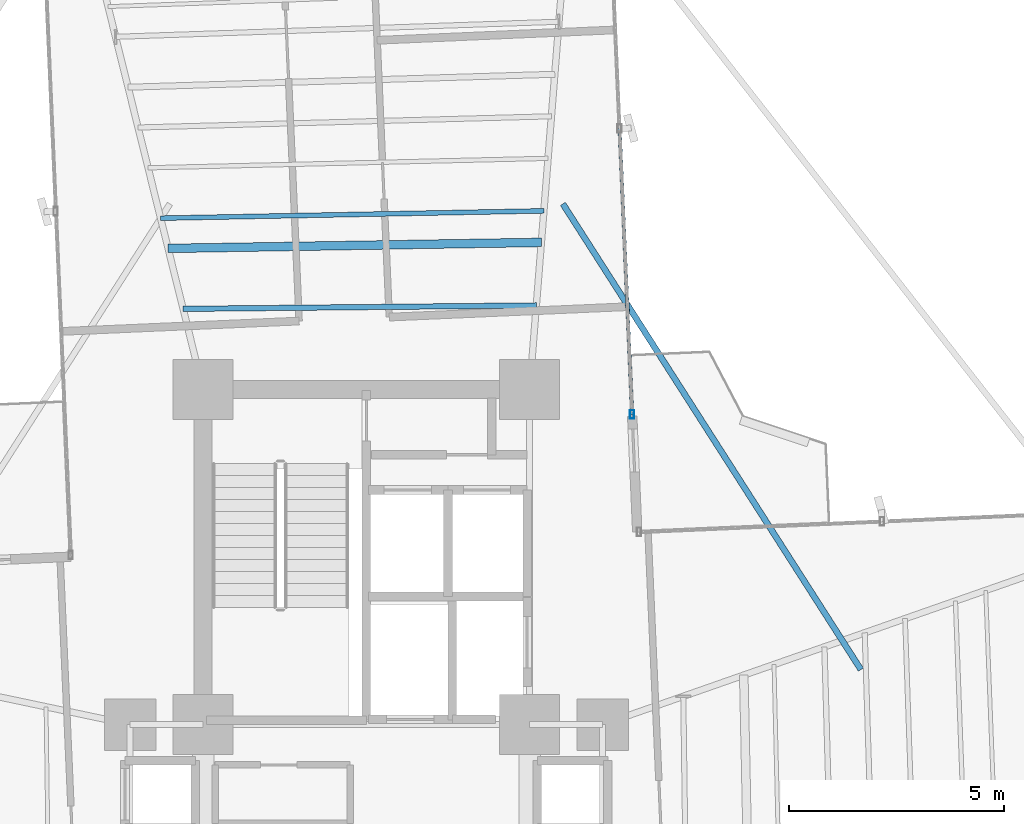
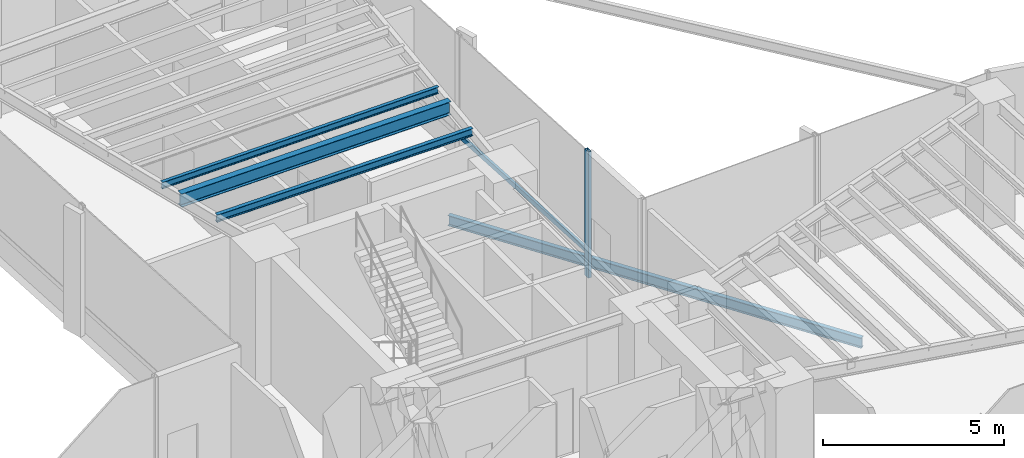
# One storey, part 11 of 21: 4 beams, 2 members, 1 element without a shape of its own.
"""IFC4 building model written with IfcOpenShell, lengths in metres."""

import ifcopenshell
import ifcopenshell.guid

model = None  # the IFC model being written
_history = None  # IfcOwnerHistory: only IFC2X3 demands one
_inside = {}  # id of a spatial element -> (the spatial element, [elements in it])
_under = {}  # id of a project, library or spatial element -> (it, [spatial elements below it])
_declared = {}  # id of a project -> (the project, [libraries it declares])
_typed = {}  # id of a type object -> (the type object, [elements of that type])
_made_of = {}  # id of a material, layer set ... -> (it, [elements and type objects made of it])


def new_model(schema):
    """Start an empty IFC model of exactly this schema.

    Asked for "IFC4X3", IfcOpenShell would pick the latest addendum, in which some entities
    have other attributes; the version numbers below select the first issue.
    IFC2X3 requires an IfcOwnerHistory on every rooted entity: one is made here for all.
    """
    global model, _history
    if schema == "IFC4X3":
        model = ifcopenshell.file(schema_version=(4, 3, 0, 0))
    else:
        model = ifcopenshell.file(schema=schema)
    _inside.clear()
    _under.clear()
    _declared.clear()
    _typed.clear()
    _made_of.clear()
    _history = None
    if model.schema == "IFC2X3":
        org = make("IfcOrganization", Name="unknown")
        user = make(
            "IfcPersonAndOrganization",
            ThePerson=make("IfcPerson", FamilyName="unknown"),
            TheOrganization=org,
        )
        app = make(
            "IfcApplication",
            ApplicationDeveloper=org,
            Version="unknown",
            ApplicationFullName="unknown",
            ApplicationIdentifier="unknown",
        )
        _history = make(
            "IfcOwnerHistory",
            OwningUser=user,
            OwningApplication=app,
            ChangeAction="ADDED",
            CreationDate=0,
        )
    return model


def make(cls, **values):
    """One entity of the class cls with the attributes given. An attribute that is None is left unset."""
    return model.create_entity(
        cls, **{name: value for name, value in values.items() if value is not None}
    )


def rooted(cls, **values):
    """An entity with a GlobalId (a new one), such as an element, a storey or a relation."""
    return make(cls, GlobalId=ifcopenshell.guid.new(), OwnerHistory=_history, **values)


def si_unit(unit_type, name, prefix=None):
    """IfcSIUnit, for example si_unit("LENGTHUNIT", "METRE", prefix="MILLI")."""
    return make("IfcSIUnit", UnitType=unit_type, Prefix=prefix, Name=name)


def assignment(units):
    """IfcUnitAssignment: the units of a project."""
    return None if units is None else make("IfcUnitAssignment", Units=units)


def point(xyz):
    """IfcCartesianPoint."""
    return None if xyz is None else make("IfcCartesianPoint", Coordinates=xyz)


def direction(xyz):
    """IfcDirection."""
    return None if xyz is None else make("IfcDirection", DirectionRatios=xyz)


def frame(location, z_axis=None, x_axis=None):
    """IfcAxis2Placement3D, a coordinate frame: its origin and axes. An axis left out is left unset."""
    return make(
        "IfcAxis2Placement3D",
        Location=point(location),
        Axis=direction(z_axis),
        RefDirection=direction(x_axis),
    )


def frame_2d(location, x_axis=None):
    """IfcAxis2Placement2D, a coordinate frame in the plane: its origin and x axis."""
    return make(
        "IfcAxis2Placement2D", Location=point(location), RefDirection=direction(x_axis)
    )


def origin():
    """The frame at (0, 0, 0) with its axes left unset."""
    return frame((0.0, 0.0, 0.0))


def origin_2d():
    """The frame at (0, 0) in the plane with its x axis left unset."""
    return frame_2d((0.0, 0.0))


def place(relative_to, where):
    """IfcLocalPlacement: puts the frame where relative to a parent placement (None: the world)."""
    return make(
        "IfcLocalPlacement", PlacementRelTo=relative_to, RelativePlacement=where
    )


def context(
    kind, dimensions, precision=None, world=None, true_north=None, identifier=None
):
    """IfcGeometricRepresentationContext, for example the 3D "Model" context."""
    return make(
        "IfcGeometricRepresentationContext",
        ContextIdentifier=identifier,
        ContextType=kind,
        CoordinateSpaceDimension=dimensions,
        Precision=precision,
        WorldCoordinateSystem=world,
        TrueNorth=true_north,
    )


def subcontext(parent, identifier, kind, view, scale=None):
    """IfcGeometricRepresentationSubContext, for example "Body" below "Model"."""
    return make(
        "IfcGeometricRepresentationSubContext",
        ContextIdentifier=identifier,
        ContextType=kind,
        ParentContext=parent,
        TargetScale=scale,
        TargetView=view,
    )


def project(units=None, contexts=None):
    """IfcProject with its units and contexts."""
    return rooted(
        "IfcProject",
        Name="project",
        RepresentationContexts=contexts,
        UnitsInContext=assignment(units),
    )


def spatial(cls, under=None, at=None, **own):
    """A site, building, storey or space (cls), placed at a placement, below another one or the project."""
    s = rooted(cls, ObjectPlacement=at, **own)
    if under is not None:
        _under.setdefault(under.id(), (under, []))[1].append(s)
    return s


def profile(cls, at=None, kind="AREA", **sizes):
    """A parametric profile (cls). Its sizes go by their IFC names, for example OverallWidth=200.0."""
    return make(cls, ProfileType=kind, Position=at, **sizes)


def hollow_rectangle(**sizes):
    """IfcRectangleHollowProfileDef."""
    return profile("IfcRectangleHollowProfileDef", **sizes)


def i_section(**sizes):
    """IfcIShapeProfileDef."""
    return profile("IfcIShapeProfileDef", **sizes)


def extrude(swept, where, along, depth):
    """IfcExtrudedAreaSolid: the profile swept, set in the frame where, extruded along a direction by depth."""
    return make(
        "IfcExtrudedAreaSolid",
        SweptArea=swept,
        Position=where,
        ExtrudedDirection=direction(along),
        Depth=depth,
    )


def shape(context_of_items, identifier, shape_type, items):
    """IfcShapeRepresentation: the items that make up one representation, for example the "Body"."""
    return make(
        "IfcShapeRepresentation",
        ContextOfItems=context_of_items,
        RepresentationIdentifier=identifier,
        RepresentationType=shape_type,
        Items=items,
    )


def source(mapping_origin, context_of_items, identifier, shape_type, items):
    """IfcRepresentationMap: a shape defined once, which mapped items show again and again."""
    return make(
        "IfcRepresentationMap",
        MappingOrigin=mapping_origin,
        MappedRepresentation=shape(context_of_items, identifier, shape_type, items),
    )


def transform(
    local_origin,
    x_axis=None,
    y_axis=None,
    z_axis=None,
    scale=None,
    scale2=None,
    scale3=None,
    uniform=True,
):
    """IfcCartesianTransformationOperator3D, or its non-uniform kind. x_axis, y_axis, z_axis: its Axis1, 2, 3."""
    if uniform:
        return make(
            "IfcCartesianTransformationOperator3D",
            Axis1=direction(x_axis),
            Axis2=direction(y_axis),
            LocalOrigin=point(local_origin),
            Scale=scale,
            Axis3=direction(z_axis),
        )
    return make(
        "IfcCartesianTransformationOperator3DnonUniform",
        Axis1=direction(x_axis),
        Axis2=direction(y_axis),
        LocalOrigin=point(local_origin),
        Scale=scale,
        Axis3=direction(z_axis),
        Scale2=scale2,
        Scale3=scale3,
    )


def mapped(mapping_source, mapping_target):
    """IfcMappedItem: shows the shape of a source again, moved by a transform."""
    return make(
        "IfcMappedItem", MappingSource=mapping_source, MappingTarget=mapping_target
    )


def material(Name=None, Category=None):
    """IfcMaterial."""
    return make("IfcMaterial", Name=Name, Category=Category)


def material_profile(
    of_material, cross_section, Name=None, Category=None, Priority=None
):
    """IfcMaterialProfile: a cross section and its material."""
    return make(
        "IfcMaterialProfile",
        Name=Name,
        Material=of_material,
        Profile=cross_section,
        Priority=Priority,
        Category=Category,
    )


def profile_set(profiles, Name=None, composite=None):
    """IfcMaterialProfileSet."""
    return make(
        "IfcMaterialProfileSet",
        Name=Name,
        MaterialProfiles=profiles,
        CompositeProfile=composite,
    )


def made_of(thing, what):
    """Note that an element or type object is made of a material, layer set ...; save() writes the relation."""
    if what is not None:
        _made_of.setdefault(what.id(), (what, []))[1].append(thing)
    return thing


def type_object(cls, material=None, **own):
    """A type object (cls), such as IfcWallType, which elements share."""
    return made_of(rooted(cls, **own), material)


def element(
    cls,
    number,
    at=None,
    inside=None,
    cuts=None,
    type_object=None,
    material=None,
    context=None,
    identifier="Body",
    shape_type=None,
    held_by="IfcProductDefinitionShape",
    body=None,
    shapes=None,
    **own,
):
    """One element of the class cls, such as IfcWall. Its Tag is "e" and its number.

    at: its placement. inside: the storey or other place that contains it. cuts: it is an
    opening in that element (IfcRelVoidsElement). A single representation is given by context,
    identifier, shape_type and body (its items); several are given by shapes. held_by: the class
    of the entity that holds the representations. save() writes the other relations.
    """
    e = rooted(cls, Tag="e%d" % number, ObjectPlacement=at, **own)
    if body is not None:
        shapes = [shape(context, identifier, shape_type, body)]
    if shapes is not None:
        e.Representation = make(held_by, Representations=shapes)
    if inside is not None:
        _inside.setdefault(inside.id(), (inside, []))[1].append(e)
    if cuts is not None:
        rooted(
            "IfcRelVoidsElement", RelatingBuildingElement=cuts, RelatedOpeningElement=e
        )
    if type_object is not None:
        _typed.setdefault(type_object.id(), (type_object, []))[1].append(e)
    return made_of(e, material)


def aggregate(whole, parts):
    """IfcRelAggregates: a whole, such as a stair, and the parts it consists of."""
    return rooted("IfcRelAggregates", RelatingObject=whole, RelatedObjects=parts)


def save(model, path):
    """Write the relations noted so far, then the file.

    IfcRelAggregates (storeys below a building ...), IfcRelContainedInSpatialStructure (elements
    in a storey), IfcRelDefinesByType, IfcRelAssociatesMaterial and IfcRelDeclares: one each for
    every whole, place, type object, material and project.
    """
    for whole, parts in _under.values():
        aggregate(whole, parts)
    for where, things in _inside.values():
        rooted(
            "IfcRelContainedInSpatialStructure",
            RelatedElements=things,
            RelatingStructure=where,
        )
    for kind, things in _typed.values():
        rooted("IfcRelDefinesByType", RelatedObjects=things, RelatingType=kind)
    for what, things in _made_of.values():
        rooted("IfcRelAssociatesMaterial", RelatedObjects=things, RelatingMaterial=what)
    for by, libraries in _declared.values():
        rooted("IfcRelDeclares", RelatingContext=by, RelatedDefinitions=libraries)
    model.write(path)


model = new_model("IFC4")

# Units and contexts
model_context = context("Model", 3, precision=1e-05, world=origin(), true_north=direction((0.0, 1.0)))
body_context = subcontext(model_context, "Body", "Model", "MODEL_VIEW")
ifc_project = project(units=[si_unit("LENGTHUNIT", "METRE"), si_unit("AREAUNIT", "SQUARE_METRE"), si_unit("VOLUMEUNIT", "CUBIC_METRE"), si_unit("PLANEANGLEUNIT", "RADIAN"), si_unit("MASSUNIT", "GRAM", prefix="KILO")], contexts=[model_context])

# Site, building, storey
site_placement = place(None, origin())
site = spatial("IfcSite", under=ifc_project, at=site_placement, CompositionType="ELEMENT")
building_placement = place(site_placement, origin())
building = spatial("IfcBuilding", under=site, at=building_placement, Name="Sahyath Konkavel Grand Hotel", CompositionType="ELEMENT")
storey_placement = place(building_placement, frame((0.0, 0.0, 79.0)))
storey = spatial("IfcBuildingStorey", under=building, at=storey_placement, Name="L21", CompositionType="ELEMENT", Elevation=79.0)

# Beams
ifc_material_1 = material(Name="Steel E350", Category="steel")
ifc_material_profile_1 = material_profile(ifc_material_1, i_section(OverallWidth=0.199951171875, OverallDepth=0.449951171875, WebThickness=0.00927734375, FlangeThickness=0.015380859375, FilletRadius=0.01611328125, at=origin_2d()), Name="ISWB 450")
ifc_profile_set_1 = profile_set([ifc_material_profile_1], Name="Steel E350")
beam_type_1 = type_object("IfcBeamType", Name="BM-ISWB450", PredefinedType="BEAM", material=ifc_profile_set_1)
shared_shape_1 = source(origin(), body_context, "Body", "SweptSolid", [
    extrude(i_section(OverallWidth=0.199951171875, OverallDepth=0.449951171875, WebThickness=0.00927734375, FlangeThickness=0.015380859375, FilletRadius=0.01611328125, at=origin_2d()), origin(), (0.0, 0.0, 1.0), 8.68994140625),
])
beam_1_placement = place(storey_placement, frame((4.0732421875, 13.624267578125, 4.034912109375), z_axis=(-0.999869506431, -0.016154569283, 0.0), x_axis=(0.016154569283, -0.999869506431, 0.0)))
element("IfcBeam", 1, at=beam_1_placement, inside=storey, type_object=beam_type_1, Name="L21 Secondary Floor Beam N-1", PredefinedType="BEAM", context=body_context, shape_type="MappedRepresentation", body=[
    mapped(shared_shape_1, transform((0.0, 0.0, 0.0), scale=1.0)),
])
ifc_material_profile_2 = material_profile(ifc_material_1, i_section(OverallWidth=0.125, OverallDepth=0.25, WebThickness=0.0068359375, FlangeThickness=0.012451171875, FilletRadius=0.012939453125, at=origin_2d()), Name="ISMB 250")
ifc_profile_set_2 = profile_set([ifc_material_profile_2], Name="Steel E350")
beam_type_2 = type_object("IfcBeamType", Name="BM-ISMB250", PredefinedType="BEAM", material=ifc_profile_set_2)
shared_shape_2 = source(origin(), body_context, "Body", "SweptSolid", [
    extrude(i_section(OverallWidth=0.125, OverallDepth=0.25, WebThickness=0.0068359375, FlangeThickness=0.012451171875, FilletRadius=0.012939453125, at=origin_2d()), origin(), (0.0, 0.0, 1.0), 8.222900390625),
])
beam_2_placement = place(storey_placement, frame((3.956298828125, 12.15673828125, 4.135009765625), z_axis=(-0.999952289679, -0.009768232528, 0.0), x_axis=(0.009768232528, -0.999952289679, 0.0)))
element("IfcBeam", 2, at=beam_2_placement, inside=storey, type_object=beam_type_2, Name="L21 Composite Deck Sub-Beam N-1", PredefinedType="BEAM", context=body_context, shape_type="MappedRepresentation", body=[
    mapped(shared_shape_2, transform((0.0, 0.0, 0.0), scale=1.0)),
])
ifc_material_profile_3 = material_profile(ifc_material_1, i_section(OverallWidth=0.110107421875, OverallDepth=0.22509765625, WebThickness=0.006591796875, FlangeThickness=0.01171875, FilletRadius=0.011962890625, at=origin_2d()), Name="ISMB 225")
ifc_profile_set_3 = profile_set([ifc_material_profile_3], Name="Steel E350")
beam_type_3 = type_object("IfcBeamType", Name="BM-ISMB225", PredefinedType="BEAM", material=ifc_profile_set_3)
shared_shape_3 = source(origin(), body_context, "Body", "SweptSolid", [
    extrude(i_section(OverallWidth=0.110107421875, OverallDepth=0.22509765625, WebThickness=0.006591796875, FlangeThickness=0.01171875, FilletRadius=0.011962890625, at=origin_2d()), origin(), (0.0, 0.0, 1.0), 8.923828125),
])
beam_3_placement = place(storey_placement, frame((4.1318359375, 14.358154296875, 4.1474609375), z_axis=(-0.99981712713, -0.019123605743, 0.0), x_axis=(0.019123605743, -0.99981712713, 0.0)))
element("IfcBeam", 3, at=beam_3_placement, inside=storey, type_object=beam_type_3, Name="L21 Composite Deck Sub-Beam N-2", PredefinedType="BEAM", context=body_context, shape_type="MappedRepresentation", body=[
    mapped(shared_shape_3, transform((0.0, 0.0, 0.0), scale=1.0)),
])

# Curtain wall, member
ifc_material_2 = material(Name="Anodised Bronze Aluminium & Low-E Glazing", Category="aluminium")
curtain_wall_type = type_object("IfcCurtainWallType", Name="CW-SKYLOBBY", PredefinedType="NOTDEFINED", material=ifc_material_2)
curtain_wall_placement = place(storey_placement, origin())
curtain_wall = element("IfcCurtainWall", 4, at=curtain_wall_placement, inside=storey, type_object=curtain_wall_type, Name="L21 Unitised Curtain Wall F8", PredefinedType="NOTDEFINED")
ifc_material_3 = material(Name="Anodised Bronze Aluminium", Category="aluminium")
ifc_material_profile_4 = material_profile(ifc_material_3, hollow_rectangle(XDim=0.10009765625, YDim=0.199951171875, WallThickness=0.008056640625, at=origin_2d()), Name="RHS 200x100x8")
ifc_profile_set_4 = profile_set([ifc_material_profile_4], Name="Anodised Bronze Aluminium")
member_type_1 = type_object("IfcMemberType", Name="CW-MUL-200", PredefinedType="MULLION", material=ifc_profile_set_4)
shared_shape_4 = source(origin(), body_context, "Body", "SweptSolid", [
    extrude(hollow_rectangle(XDim=0.10009765625, YDim=0.199951171875, WallThickness=0.008056640625, at=origin_2d()), origin(), (0.0, 0.0, 1.0), 4.260009765625),
])
member_1_placement = place(storey_placement, frame((6.186279296875, 9.618896484375, 0.0), z_axis=(0.0, 0.0, 1.0), x_axis=(1.0, 0.0, 0.0)))
member_1 = element("IfcMember", 5, at=member_1_placement, type_object=member_type_1, Name="L21 Curtain Wall Mullion F8-0", PredefinedType="MULLION", context=body_context, shape_type="MappedRepresentation", body=[
    mapped(shared_shape_4, transform((0.0, 0.0, 0.0), scale=1.0)),
])

# Beam
ifc_material_profile_5 = material_profile(ifc_material_1, i_section(OverallWidth=0.139892578125, OverallDepth=0.35009765625, WebThickness=0.008056640625, FlangeThickness=0.01416015625, FilletRadius=0.013916015625, at=origin_2d()), Name="ISMB 350")
ifc_profile_set_5 = profile_set([ifc_material_profile_5], Name="Steel E350")
beam_type_4 = type_object("IfcBeamType", Name="BM-BALC-CANT", PredefinedType="BEAM", material=ifc_profile_set_5)
shared_shape_5 = source(origin(), body_context, "Body", "SweptSolid", [
    extrude(i_section(OverallWidth=0.139892578125, OverallDepth=0.35009765625, WebThickness=0.008056640625, FlangeThickness=0.01416015625, FilletRadius=0.013916015625, at=origin_2d()), origin(), (0.0, 0.0, 1.0), 12.871826171875),
])
beam_4_placement = place(storey_placement, frame((11.511962890625, 3.677978515625, -0.4951171875), z_axis=(-0.539003102535, 0.842303778608, 0.0), x_axis=(-0.842303778608, -0.539003102535, 0.0)))
element("IfcBeam", 6, at=beam_4_placement, inside=storey, type_object=beam_type_4, Name="L21 Balcony Cantilever Support Beam NE", PredefinedType="BEAM", context=body_context, shape_type="MappedRepresentation", body=[
    mapped(shared_shape_5, transform((0.0, 0.0, 0.0), scale=1.0)),
])

# Member
ifc_material_profile_6 = material_profile(ifc_material_3, hollow_rectangle(XDim=0.080078125, YDim=0.159912109375, WallThickness=0.006103515625, at=origin_2d()), Name="RHS 160x80x6")
ifc_profile_set_6 = profile_set([ifc_material_profile_6], Name="Anodised Bronze Aluminium")
member_type_2 = type_object("IfcMemberType", Name="CW-TRN-160", PredefinedType="USERDEFINED", material=ifc_profile_set_6)
shared_shape_6 = source(origin(), body_context, "Body", "SweptSolid", [
    extrude(hollow_rectangle(XDim=0.080078125, YDim=0.159912109375, WallThickness=0.006103515625, at=origin_2d()), origin(), (0.0, 0.0, 1.0), 6.66015625),
])
member_2_placement = place(storey_placement, frame((6.186279296875, 9.618896484375, 0.85009765625), z_axis=(-0.043621753165, 0.999048118286, 0.0), x_axis=(-0.999048118286, -0.043621753165, 0.0)))
member_2 = element("IfcMember", 7, at=member_2_placement, type_object=member_type_2, Name="L21 Curtain Wall Transom F8-0-spandrel", ObjectType="TRANSOM", PredefinedType="USERDEFINED", context=body_context, shape_type="MappedRepresentation", body=[
    mapped(shared_shape_6, transform((0.0, 0.0, 0.0), scale=1.0)),
])

aggregate(curtain_wall, [member_1, member_2])

save(model, "model.ifc")
